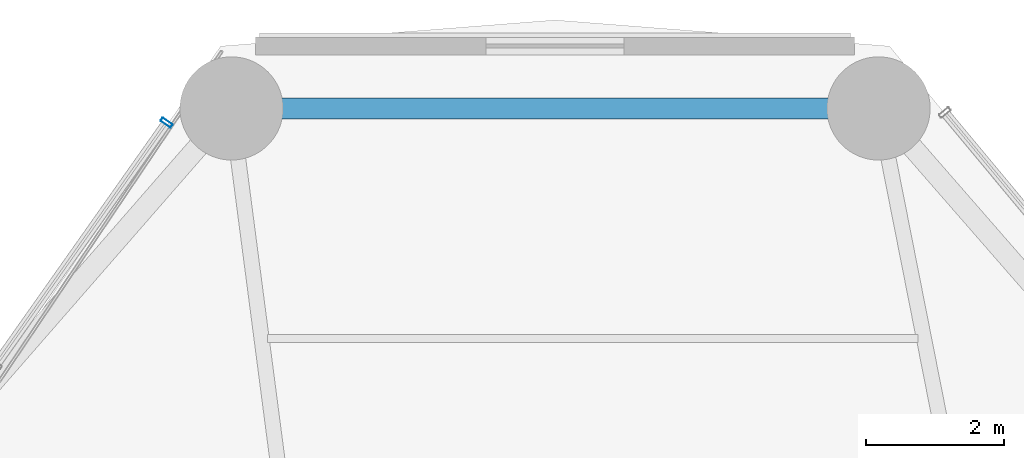
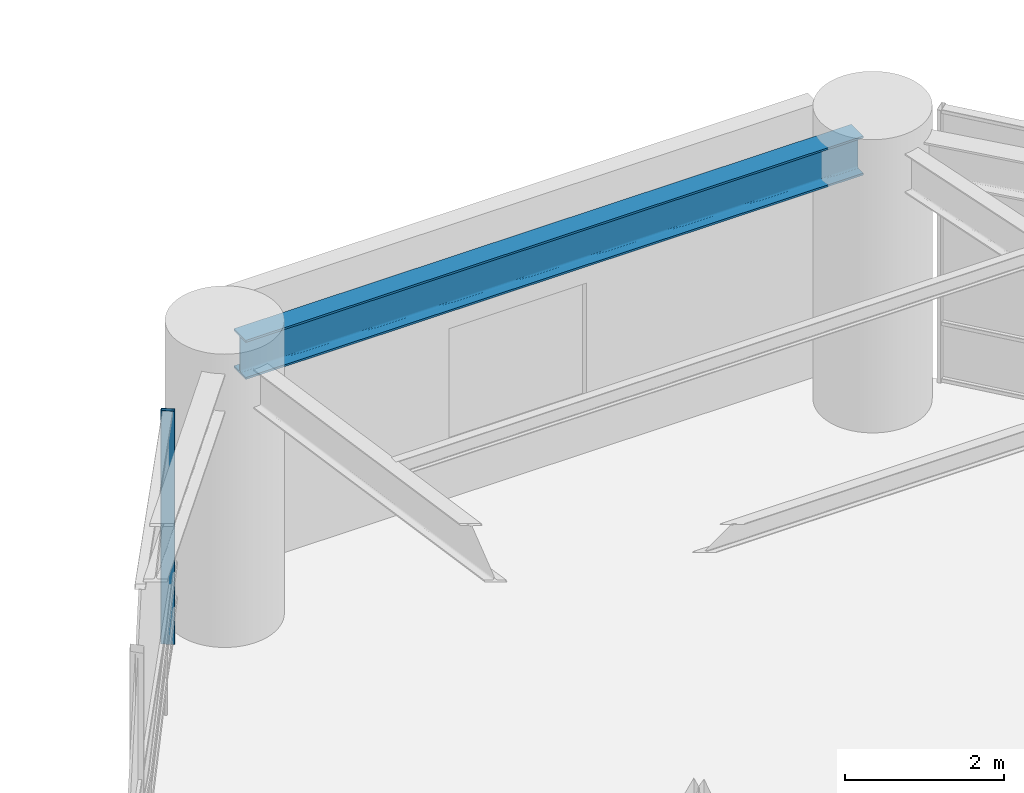
# One storey, part 35 of 55: 1 beam, 1 member, 1 element without a shape of its own.
"""IFC4 building model written with IfcOpenShell, lengths in metres."""

import ifcopenshell
import ifcopenshell.guid

model = None  # the IFC model being written
_history = None  # IfcOwnerHistory: only IFC2X3 demands one
_inside = {}  # id of a spatial element -> (the spatial element, [elements in it])
_under = {}  # id of a project, library or spatial element -> (it, [spatial elements below it])
_declared = {}  # id of a project -> (the project, [libraries it declares])
_typed = {}  # id of a type object -> (the type object, [elements of that type])
_made_of = {}  # id of a material, layer set ... -> (it, [elements and type objects made of it])


def new_model(schema):
    """Start an empty IFC model of exactly this schema.

    Asked for "IFC4X3", IfcOpenShell would pick the latest addendum, in which some entities
    have other attributes; the version numbers below select the first issue.
    IFC2X3 requires an IfcOwnerHistory on every rooted entity: one is made here for all.
    """
    global model, _history
    if schema == "IFC4X3":
        model = ifcopenshell.file(schema_version=(4, 3, 0, 0))
    else:
        model = ifcopenshell.file(schema=schema)
    _inside.clear()
    _under.clear()
    _declared.clear()
    _typed.clear()
    _made_of.clear()
    _history = None
    if model.schema == "IFC2X3":
        org = make("IfcOrganization", Name="unknown")
        user = make(
            "IfcPersonAndOrganization",
            ThePerson=make("IfcPerson", FamilyName="unknown"),
            TheOrganization=org,
        )
        app = make(
            "IfcApplication",
            ApplicationDeveloper=org,
            Version="unknown",
            ApplicationFullName="unknown",
            ApplicationIdentifier="unknown",
        )
        _history = make(
            "IfcOwnerHistory",
            OwningUser=user,
            OwningApplication=app,
            ChangeAction="ADDED",
            CreationDate=0,
        )
    return model


def make(cls, **values):
    """One entity of the class cls with the attributes given. An attribute that is None is left unset."""
    return model.create_entity(
        cls, **{name: value for name, value in values.items() if value is not None}
    )


def rooted(cls, **values):
    """An entity with a GlobalId (a new one), such as an element, a storey or a relation."""
    return make(cls, GlobalId=ifcopenshell.guid.new(), OwnerHistory=_history, **values)


def si_unit(unit_type, name, prefix=None):
    """IfcSIUnit, for example si_unit("LENGTHUNIT", "METRE", prefix="MILLI")."""
    return make("IfcSIUnit", UnitType=unit_type, Prefix=prefix, Name=name)


def assignment(units):
    """IfcUnitAssignment: the units of a project."""
    return None if units is None else make("IfcUnitAssignment", Units=units)


def point(xyz):
    """IfcCartesianPoint."""
    return None if xyz is None else make("IfcCartesianPoint", Coordinates=xyz)


def direction(xyz):
    """IfcDirection."""
    return None if xyz is None else make("IfcDirection", DirectionRatios=xyz)


def frame(location, z_axis=None, x_axis=None):
    """IfcAxis2Placement3D, a coordinate frame: its origin and axes. An axis left out is left unset."""
    return make(
        "IfcAxis2Placement3D",
        Location=point(location),
        Axis=direction(z_axis),
        RefDirection=direction(x_axis),
    )


def frame_2d(location, x_axis=None):
    """IfcAxis2Placement2D, a coordinate frame in the plane: its origin and x axis."""
    return make(
        "IfcAxis2Placement2D", Location=point(location), RefDirection=direction(x_axis)
    )


def origin():
    """The frame at (0, 0, 0) with its axes left unset."""
    return frame((0.0, 0.0, 0.0))


def origin_2d():
    """The frame at (0, 0) in the plane with its x axis left unset."""
    return frame_2d((0.0, 0.0))


def place(relative_to, where):
    """IfcLocalPlacement: puts the frame where relative to a parent placement (None: the world)."""
    return make(
        "IfcLocalPlacement", PlacementRelTo=relative_to, RelativePlacement=where
    )


def context(
    kind, dimensions, precision=None, world=None, true_north=None, identifier=None
):
    """IfcGeometricRepresentationContext, for example the 3D "Model" context."""
    return make(
        "IfcGeometricRepresentationContext",
        ContextIdentifier=identifier,
        ContextType=kind,
        CoordinateSpaceDimension=dimensions,
        Precision=precision,
        WorldCoordinateSystem=world,
        TrueNorth=true_north,
    )


def subcontext(parent, identifier, kind, view, scale=None):
    """IfcGeometricRepresentationSubContext, for example "Body" below "Model"."""
    return make(
        "IfcGeometricRepresentationSubContext",
        ContextIdentifier=identifier,
        ContextType=kind,
        ParentContext=parent,
        TargetScale=scale,
        TargetView=view,
    )


def project(units=None, contexts=None):
    """IfcProject with its units and contexts."""
    return rooted(
        "IfcProject",
        Name="project",
        RepresentationContexts=contexts,
        UnitsInContext=assignment(units),
    )


def spatial(cls, under=None, at=None, **own):
    """A site, building, storey or space (cls), placed at a placement, below another one or the project."""
    s = rooted(cls, ObjectPlacement=at, **own)
    if under is not None:
        _under.setdefault(under.id(), (under, []))[1].append(s)
    return s


def profile(cls, at=None, kind="AREA", **sizes):
    """A parametric profile (cls). Its sizes go by their IFC names, for example OverallWidth=200.0."""
    return make(cls, ProfileType=kind, Position=at, **sizes)


def hollow_rectangle(**sizes):
    """IfcRectangleHollowProfileDef."""
    return profile("IfcRectangleHollowProfileDef", **sizes)


def i_section(**sizes):
    """IfcIShapeProfileDef."""
    return profile("IfcIShapeProfileDef", **sizes)


def extrude(swept, where, along, depth):
    """IfcExtrudedAreaSolid: the profile swept, set in the frame where, extruded along a direction by depth."""
    return make(
        "IfcExtrudedAreaSolid",
        SweptArea=swept,
        Position=where,
        ExtrudedDirection=direction(along),
        Depth=depth,
    )


def shape(context_of_items, identifier, shape_type, items):
    """IfcShapeRepresentation: the items that make up one representation, for example the "Body"."""
    return make(
        "IfcShapeRepresentation",
        ContextOfItems=context_of_items,
        RepresentationIdentifier=identifier,
        RepresentationType=shape_type,
        Items=items,
    )


def material(Name=None, Category=None):
    """IfcMaterial."""
    return make("IfcMaterial", Name=Name, Category=Category)


def layer(
    of_material, thickness, ventilated=None, Name=None, Category=None, Priority=None
):
    """IfcMaterialLayer: one layer of a wall or slab, of a material (None: an air gap)."""
    return make(
        "IfcMaterialLayer",
        Material=of_material,
        LayerThickness=thickness,
        IsVentilated=ventilated,
        Name=Name,
        Category=Category,
        Priority=Priority,
    )


def layer_set(layers, Name=None):
    """IfcMaterialLayerSet."""
    return make("IfcMaterialLayerSet", MaterialLayers=layers, LayerSetName=Name)


def material_profile(
    of_material, cross_section, Name=None, Category=None, Priority=None
):
    """IfcMaterialProfile: a cross section and its material."""
    return make(
        "IfcMaterialProfile",
        Name=Name,
        Material=of_material,
        Profile=cross_section,
        Priority=Priority,
        Category=Category,
    )


def profile_set(profiles, Name=None, composite=None):
    """IfcMaterialProfileSet."""
    return make(
        "IfcMaterialProfileSet",
        Name=Name,
        MaterialProfiles=profiles,
        CompositeProfile=composite,
    )


def made_of(thing, what):
    """Note that an element or type object is made of a material, layer set ...; save() writes the relation."""
    if what is not None:
        _made_of.setdefault(what.id(), (what, []))[1].append(thing)
    return thing


def type_object(cls, material=None, **own):
    """A type object (cls), such as IfcWallType, which elements share."""
    return made_of(rooted(cls, **own), material)


def element(
    cls,
    number,
    at=None,
    inside=None,
    cuts=None,
    type_object=None,
    material=None,
    context=None,
    identifier="Body",
    shape_type=None,
    held_by="IfcProductDefinitionShape",
    body=None,
    shapes=None,
    **own,
):
    """One element of the class cls, such as IfcWall. Its Tag is "e" and its number.

    at: its placement. inside: the storey or other place that contains it. cuts: it is an
    opening in that element (IfcRelVoidsElement). A single representation is given by context,
    identifier, shape_type and body (its items); several are given by shapes. held_by: the class
    of the entity that holds the representations. save() writes the other relations.
    """
    e = rooted(cls, Tag="e%d" % number, ObjectPlacement=at, **own)
    if body is not None:
        shapes = [shape(context, identifier, shape_type, body)]
    if shapes is not None:
        e.Representation = make(held_by, Representations=shapes)
    if inside is not None:
        _inside.setdefault(inside.id(), (inside, []))[1].append(e)
    if cuts is not None:
        rooted(
            "IfcRelVoidsElement", RelatingBuildingElement=cuts, RelatedOpeningElement=e
        )
    if type_object is not None:
        _typed.setdefault(type_object.id(), (type_object, []))[1].append(e)
    return made_of(e, material)


def aggregate(whole, parts):
    """IfcRelAggregates: a whole, such as a stair, and the parts it consists of."""
    return rooted("IfcRelAggregates", RelatingObject=whole, RelatedObjects=parts)


def save(model, path):
    """Write the relations noted so far, then the file.

    IfcRelAggregates (storeys below a building ...), IfcRelContainedInSpatialStructure (elements
    in a storey), IfcRelDefinesByType, IfcRelAssociatesMaterial and IfcRelDeclares: one each for
    every whole, place, type object, material and project.
    """
    for whole, parts in _under.values():
        aggregate(whole, parts)
    for where, things in _inside.values():
        rooted(
            "IfcRelContainedInSpatialStructure",
            RelatedElements=things,
            RelatingStructure=where,
        )
    for kind, things in _typed.values():
        rooted("IfcRelDefinesByType", RelatedObjects=things, RelatingType=kind)
    for what, things in _made_of.values():
        rooted("IfcRelAssociatesMaterial", RelatedObjects=things, RelatingMaterial=what)
    for by, libraries in _declared.values():
        rooted("IfcRelDeclares", RelatingContext=by, RelatedDefinitions=libraries)
    model.write(path)


model = new_model("IFC4")

# Units and contexts
model_context = context("Model", 3, precision=1e-05, world=origin(), true_north=direction((0.0, 1.0)))
body_context = subcontext(model_context, "Body", "Model", "MODEL_VIEW")
ifc_project = project(units=[si_unit("LENGTHUNIT", "METRE"), si_unit("AREAUNIT", "SQUARE_METRE"), si_unit("VOLUMEUNIT", "CUBIC_METRE"), si_unit("PLANEANGLEUNIT", "RADIAN"), si_unit("MASSUNIT", "GRAM", prefix="KILO")], contexts=[model_context])

# Site, building, storey
site_placement = place(None, origin())
site = spatial("IfcSite", under=ifc_project, at=site_placement, CompositionType="ELEMENT")
building_placement = place(site_placement, origin())
building = spatial("IfcBuilding", under=site, at=building_placement, Name="Kelanora Arch Commons", CompositionType="ELEMENT")
storey_placement = place(building_placement, frame((0.0, 0.0, 4.5)))
storey = spatial("IfcBuildingStorey", under=building, at=storey_placement, Name="L01", CompositionType="ELEMENT", Elevation=4.5)

# Beam
ifc_material_1 = material(Name="Steel S355", Category="steel")
ifc_material_profile_1 = material_profile(ifc_material_1, i_section(OverallWidth=0.300048828125, OverallDepth=0.60009765625, WebThickness=0.015380859375, FlangeThickness=0.030029296875, FilletRadius=0.027099609375, at=origin_2d()), Name="HEB600")
ifc_profile_set_1 = profile_set([ifc_material_profile_1], Name="Steel S355")
beam_type = type_object("IfcBeamType", Name="BM-SPN-Z1", PredefinedType="SPANDREL", material=ifc_profile_set_1)
beam_placement = place(storey_placement, frame((78.482421875, 81.714111328125, 3.89990234375), z_axis=(-1.0, 0.0, 0.0), x_axis=(0.0, -1.0, 0.0)))
element("IfcBeam", 1, at=beam_placement, inside=storey, type_object=beam_type, Name="Perimeter Spandrel Beam BS-08 L01", PredefinedType="SPANDREL", context=body_context, shape_type="SweptSolid", body=[
    extrude(i_section(OverallWidth=0.300048828125, OverallDepth=0.60009765625, WebThickness=0.015380859375, FlangeThickness=0.030029296875, FilletRadius=0.027099609375, at=origin_2d()), origin(), (0.0, 0.0, 1.0), 8.96484375),
])

# Curtain wall, member
ifc_material_2 = material(Name="Terracotta ceramic-fritted low-E glass and aluminium", Category="masonry")
ifc_layer = layer(ifc_material_2, 0.2099609375)
ifc_layer_set = layer_set([ifc_layer], Name="Terracotta ceramic-fritted low-E glass and aluminium")
curtain_wall_type = type_object("IfcCurtainWallType", Name="CW-SYS-04", PredefinedType="NOTDEFINED", material=ifc_layer_set)
curtain_wall_placement = place(storey_placement, origin())
curtain_wall = element("IfcCurtainWall", 2, at=curtain_wall_placement, inside=storey, type_object=curtain_wall_type, Name="Unitised Curtain Wall L01-B05", PredefinedType="NOTDEFINED")
ifc_material_3 = material(Name="Powder-coated aluminium terracotta", Category="masonry")
ifc_material_profile_2 = material_profile(ifc_material_3, hollow_rectangle(XDim=0.179931640625, YDim=0.06005859375, WallThickness=0.0048828125, InnerFilletRadius=0.0048828125, OuterFilletRadius=0.010009765625, at=origin_2d()), Name="CWM180x60")
ifc_profile_set_2 = profile_set([ifc_material_profile_2], Name="Powder-coated aluminium terracotta")
member_type = type_object("IfcMemberType", Name="CWM-HVY", PredefinedType="MULLION", material=ifc_profile_set_2)
member_placement = place(storey_placement, frame((68.35302734375, 81.50732421875, 0.0), z_axis=(0.0, 0.0, 1.0), x_axis=(0.817206133555, -0.576345499922, 0.0)))
member = element("IfcMember", 3, at=member_placement, type_object=member_type, Name="CW-04 mullion 1", PredefinedType="MULLION", context=body_context, shape_type="SweptSolid", body=[
    extrude(hollow_rectangle(XDim=0.179931640625, YDim=0.06005859375, WallThickness=0.0048828125, InnerFilletRadius=0.0048828125, OuterFilletRadius=0.010009765625, at=origin_2d()), origin(), (0.0, 0.0, 1.0), 3.580078125),
])
aggregate(curtain_wall, [member])

save(model, "model.ifc")
